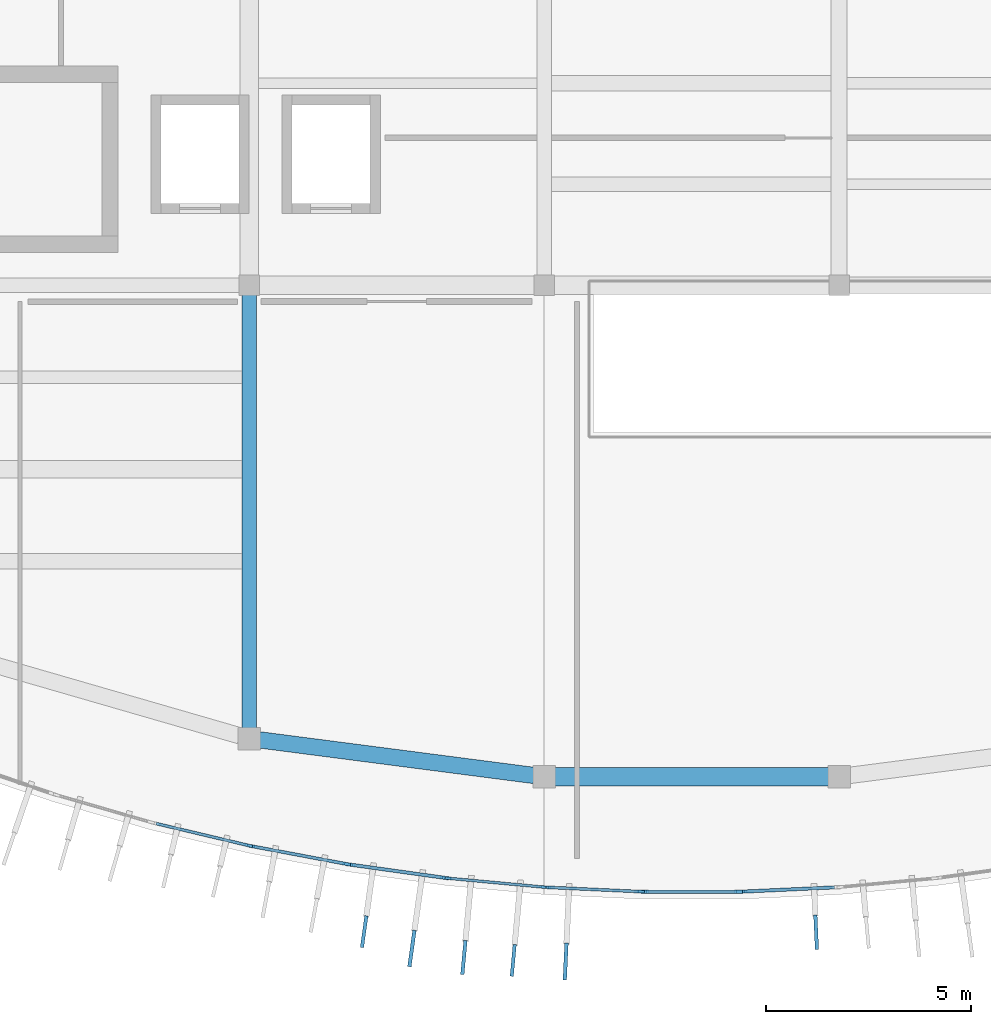
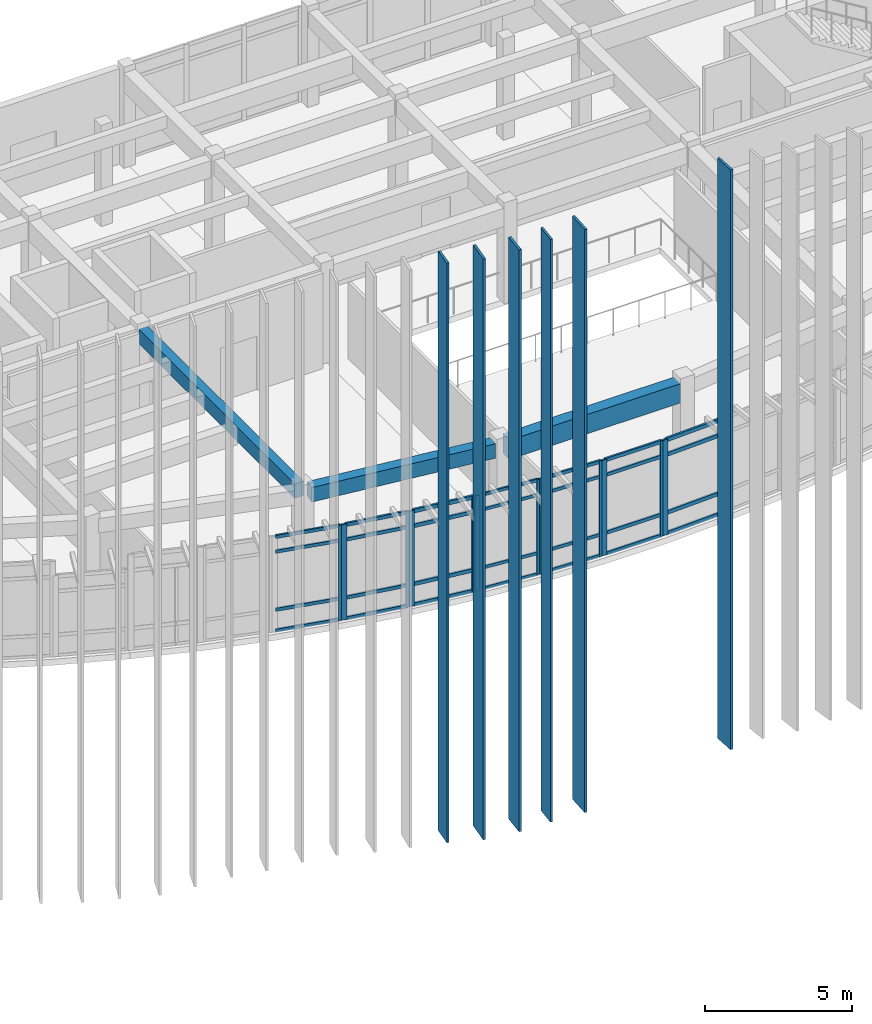
# One storey, part 17 of 47: 46 members, 3 beams, 7 elements without a shape of their own.
"""IFC4 building model written with IfcOpenShell, lengths in metres."""

from ifc_helpers import new_model, si_unit, direction, frame, origin, origin_2d, place, context, subcontext, project, spatial, rectangle, extrude, material, layer, layer_set, material_profile, profile_set, type_object, element, aggregate, save


model = new_model("IFC4")

# Units and contexts
model_context = context("Model", 3, precision=1e-05, world=origin(), true_north=direction((0.0, 1.0)))
body_context = subcontext(model_context, "Body", "Model", "MODEL_VIEW")
ifc_project = project(units=[si_unit("LENGTHUNIT", "METRE"), si_unit("AREAUNIT", "SQUARE_METRE"), si_unit("VOLUMEUNIT", "CUBIC_METRE"), si_unit("PLANEANGLEUNIT", "RADIAN"), si_unit("MASSUNIT", "GRAM", prefix="KILO")], contexts=[model_context])

# Site, building, storey
site_placement = place(None, origin())
site = spatial("IfcSite", under=ifc_project, at=site_placement, CompositionType="ELEMENT")
building_placement = place(site_placement, origin())
building = spatial("IfcBuilding", under=site, at=building_placement, Name="Brisavento Harbour Community Centre", CompositionType="ELEMENT")
storey_placement = place(building_placement, frame((0.0, 0.0, 8.699951171875)))
storey = spatial("IfcBuildingStorey", under=building, at=storey_placement, Name="L02", CompositionType="ELEMENT", Elevation=8.699951171875)

# Beams
ifc_material_1 = material(Name="Concrete C35/45", Category="concrete")
ifc_material_profile_1 = material_profile(ifc_material_1, rectangle(XDim=0.35009765625, YDim=0.60009765625, at=origin_2d()), Name="Concrete C35/45")
ifc_profile_set_1 = profile_set([ifc_material_profile_1], Name="Concrete C35/45")
beam_type_1 = type_object("IfcBeamType", Name="BM-RC-350x600", PredefinedType="BEAM", material=ifc_profile_set_1)
beam_1_placement = place(storey_placement, frame((129.60009765625, 4.178955078125, 3.66015625), z_axis=(0.0, 1.0, 0.0), x_axis=(-1.0, 0.0, 0.0)))
element("IfcBeam", 1, at=beam_1_placement, inside=storey, type_object=beam_type_1, Name="L02 primary girder Y0609", PredefinedType="BEAM", context=body_context, shape_type="SweptSolid", body=[
    extrude(rectangle(XDim=0.35009765625, YDim=0.60009765625, at=origin_2d()), origin(), (0.0, 0.0, 1.0), 10.60107421875),
])
ifc_material_profile_2 = material_profile(ifc_material_1, rectangle(XDim=0.449951171875, YDim=0.800048828125, at=origin_2d()), Name="Concrete C35/45")
ifc_profile_set_2 = profile_set([ifc_material_profile_2], Name="Concrete C35/45")
beam_type_2 = type_object("IfcBeamType", Name="BM-RC-450x800", PredefinedType="BEAM", material=ifc_profile_set_2)
beam_2_placement = place(storey_placement, frame((137.044921875, 3.0, 3.56005859375), z_axis=(1.0, 0.0, 0.0), x_axis=(0.0, 1.0, 0.0)))
element("IfcBeam", 2, at=beam_2_placement, inside=storey, type_object=beam_type_2, Name="L02 primary girder X0545", PredefinedType="BEAM", context=body_context, shape_type="SweptSolid", body=[
    extrude(rectangle(XDim=0.449951171875, YDim=0.800048828125, at=origin_2d()), origin(), (0.0, 0.0, 1.0), 6.7099609375),
])
ifc_material_profile_3 = material_profile(ifc_material_1, rectangle(XDim=0.39990234375, YDim=0.60009765625, at=origin_2d()), Name="Concrete C35/45")
ifc_profile_set_3 = profile_set([ifc_material_profile_3], Name="Concrete C35/45")
beam_type_3 = type_object("IfcBeamType", Name="BM-SPN-400x600", PredefinedType="SPANDREL", material=ifc_profile_set_3)
beam_3_placement = place(storey_placement, frame((129.843017578125, 3.902587890625, 3.66015625), z_axis=(0.991687856755, -0.128666991742, 0.0), x_axis=(0.128666991742, 0.991687856755, 0.0)))
element("IfcBeam", 3, at=beam_3_placement, inside=storey, type_object=beam_type_3, Name="L02 curved perimeter spandrel 0641", PredefinedType="SPANDREL", context=body_context, shape_type="SweptSolid", body=[
    extrude(rectangle(XDim=0.39990234375, YDim=0.60009765625, at=origin_2d()), origin(), (0.0, 0.0, 1.0), 6.77001953125),
])

# Curtain wall, members
ifc_material_2 = material(Name="Marine-anodised aluminium AW-6063-T6", Category="aluminium")
ifc_layer_1 = layer(ifc_material_2, 0.179931640625, Name="Marine-anodised aluminium AW-6063-T6")
ifc_layer_set_1 = layer_set([ifc_layer_1], Name="Marine-anodised aluminium AW-6063-T6")
curtain_wall_type_1 = type_object("IfcCurtainWallType", Name="CW-SYS-17", PredefinedType="USERDEFINED", material=ifc_layer_set_1)
curtain_wall_1_placement = place(storey_placement, origin())
curtain_wall_1 = element("IfcCurtainWall", 4, at=curtain_wall_1_placement, inside=storey, type_object=curtain_wall_type_1, Name="L02 V3 unitised curtain wall 129", ObjectType="UNITISED CURTAIN WALL", PredefinedType="USERDEFINED")
ifc_material_profile_4 = material_profile(ifc_material_2, rectangle(XDim=0.06494140625, YDim=0.1650390625, at=origin_2d()), Name="Marine-anodised aluminium AW-6063-T6")
ifc_profile_set_4 = profile_set([ifc_material_profile_4], Name="Marine-anodised aluminium AW-6063-T6")
member_type_1 = type_object("IfcMemberType", Name="CWM-01", PredefinedType="MULLION", material=ifc_profile_set_4)
member_1_placement = place(storey_placement, frame((136.766357421875, 0.30859375, 0.0), z_axis=(0.0, 0.0, 1.0), x_axis=(-0.092278635218, -0.995733224053, 0.0)))
member_1 = element("IfcMember", 5, at=member_1_placement, type_object=member_type_1, Name="CW-17 mullion 1", PredefinedType="MULLION", context=body_context, shape_type="SweptSolid", body=[
    extrude(rectangle(XDim=0.06494140625, YDim=0.1650390625, at=origin_2d()), origin(), (0.0, 0.0, 1.0), 3.9599609375),
])
member_2_placement = place(storey_placement, frame((134.466796875, 0.521728515625, 0.0), z_axis=(0.0, 0.0, 1.0), x_axis=(-0.092278635218, -0.995733224053, 0.0)))
member_2 = element("IfcMember", 6, at=member_2_placement, type_object=member_type_1, Name="CW-17 mullion 2", PredefinedType="MULLION", context=body_context, shape_type="SweptSolid", body=[
    extrude(rectangle(XDim=0.06494140625, YDim=0.1650390625, at=origin_2d()), origin(), (0.0, 0.0, 1.0), 3.9599609375),
])

# Curtain wall, member
ifc_layer_2 = layer(ifc_material_2, 0.179931640625, Name="Marine-anodised aluminium AW-6063-T6")
ifc_layer_set_2 = layer_set([ifc_layer_2], Name="Marine-anodised aluminium AW-6063-T6")
curtain_wall_type_2 = type_object("IfcCurtainWallType", Name="CW-SYS-14", PredefinedType="USERDEFINED", material=ifc_layer_set_2)
curtain_wall_2_placement = place(storey_placement, origin())
curtain_wall_2 = element("IfcCurtainWall", 7, at=curtain_wall_2_placement, inside=storey, type_object=curtain_wall_type_2, Name="L02 V3 unitised curtain wall 126", ObjectType="UNITISED CURTAIN WALL", PredefinedType="USERDEFINED")
ifc_material_profile_5 = material_profile(ifc_material_2, rectangle(XDim=0.070068359375, YDim=0.179931640625, at=origin_2d()), Name="Marine-anodised aluminium AW-6063-T6")
ifc_profile_set_5 = profile_set([ifc_material_profile_5], Name="Marine-anodised aluminium AW-6063-T6")
member_type_2 = type_object("IfcMemberType", Name="CWM-02", PredefinedType="MULLION", material=ifc_profile_set_5)
member_3_placement = place(storey_placement, frame((129.590087890625, 1.3212890625, 0.0), z_axis=(0.0, 0.0, 1.0), x_axis=(-0.230804675748, -0.973000103624, 0.0)))
member_3 = element("IfcMember", 8, at=member_3_placement, type_object=member_type_2, Name="CW-14 mullion 1", PredefinedType="MULLION", context=body_context, shape_type="SweptSolid", body=[
    extrude(rectangle(XDim=0.070068359375, YDim=0.179931640625, at=origin_2d()), origin(), (0.0, 0.0, 1.0), 3.9599609375),
])

# Curtain wall, members
ifc_layer_3 = layer(ifc_material_2, 0.179931640625, Name="Marine-anodised aluminium AW-6063-T6")
ifc_layer_set_3 = layer_set([ifc_layer_3], Name="Marine-anodised aluminium AW-6063-T6")
curtain_wall_type_3 = type_object("IfcCurtainWallType", Name="CW-SYS-18", PredefinedType="USERDEFINED", material=ifc_layer_set_3)
curtain_wall_3_placement = place(storey_placement, origin())
curtain_wall_3 = element("IfcCurtainWall", 9, at=curtain_wall_3_placement, inside=storey, type_object=curtain_wall_type_3, Name="L02 V3 unitised curtain wall 130", ObjectType="UNITISED CURTAIN WALL", PredefinedType="USERDEFINED")
member_4_placement = place(storey_placement, frame((139.1552734375, 0.196044921875, 0.0), z_axis=(0.0, 0.0, 1.0), x_axis=(-0.046185855346, -0.998932863993, 0.0)))
member_4 = element("IfcMember", 10, at=member_4_placement, type_object=member_type_2, Name="CW-18 mullion 1", PredefinedType="MULLION", context=body_context, shape_type="SweptSolid", body=[
    extrude(rectangle(XDim=0.070068359375, YDim=0.179931640625, at=origin_2d()), origin(), (0.0, 0.0, 1.0), 3.9599609375),
])
member_5_placement = place(storey_placement, frame((136.861328125, 0.30224609375, 0.0), z_axis=(0.0, 0.0, 1.0), x_axis=(-0.046185855346, -0.998932863993, 0.0)))
member_5 = element("IfcMember", 11, at=member_5_placement, type_object=member_type_2, Name="CW-18 mullion 2", PredefinedType="MULLION", context=body_context, shape_type="SweptSolid", body=[
    extrude(rectangle(XDim=0.070068359375, YDim=0.179931640625, at=origin_2d()), origin(), (0.0, 0.0, 1.0), 3.9599609375),
])

ifc_layer_4 = layer(ifc_material_2, 0.179931640625, Name="Marine-anodised aluminium AW-6063-T6")
ifc_layer_set_4 = layer_set([ifc_layer_4], Name="Marine-anodised aluminium AW-6063-T6")
curtain_wall_type_4 = type_object("IfcCurtainWallType", Name="CW-SYS-15", PredefinedType="USERDEFINED", material=ifc_layer_set_4)
curtain_wall_4_placement = place(storey_placement, origin())
curtain_wall_4 = element("IfcCurtainWall", 12, at=curtain_wall_4_placement, inside=storey, type_object=curtain_wall_type_4, Name="L02 V3 unitised curtain wall 127", ObjectType="UNITISED CURTAIN WALL", PredefinedType="USERDEFINED")
ifc_material_profile_6 = material_profile(ifc_material_2, rectangle(XDim=0.074951171875, YDim=0.18994140625, at=origin_2d()), Name="Marine-anodised aluminium AW-6063-T6")
ifc_profile_set_6 = profile_set([ifc_material_profile_6], Name="Marine-anodised aluminium AW-6063-T6")
member_type_3 = type_object("IfcMemberType", Name="CWM-03", PredefinedType="MULLION", material=ifc_profile_set_6)
member_6_placement = place(storey_placement, frame((131.978759765625, 0.8701171875, 0.0), z_axis=(0.0, 0.0, 1.0), x_axis=(-0.184664942245, -0.98280153597, 0.0)))
member_6 = element("IfcMember", 13, at=member_6_placement, type_object=member_type_3, Name="CW-15 mullion 1", PredefinedType="MULLION", context=body_context, shape_type="SweptSolid", body=[
    extrude(rectangle(XDim=0.074951171875, YDim=0.18994140625, at=origin_2d()), origin(), (0.0, 0.0, 1.0), 3.9599609375),
])
member_7_placement = place(storey_placement, frame((129.687744140625, 1.300537109375, 0.0), z_axis=(0.0, 0.0, 1.0), x_axis=(-0.184664942245, -0.98280153597, 0.0)))
member_7 = element("IfcMember", 14, at=member_7_placement, type_object=member_type_3, Name="CW-15 mullion 2", PredefinedType="MULLION", context=body_context, shape_type="SweptSolid", body=[
    extrude(rectangle(XDim=0.074951171875, YDim=0.18994140625, at=origin_2d()), origin(), (0.0, 0.0, 1.0), 3.9599609375),
])

ifc_layer_5 = layer(ifc_material_2, 0.179931640625, Name="Marine-anodised aluminium AW-6063-T6")
ifc_layer_set_5 = layer_set([ifc_layer_5], Name="Marine-anodised aluminium AW-6063-T6")
curtain_wall_type_5 = type_object("IfcCurtainWallType", Name="CW-SYS-19", PredefinedType="USERDEFINED", material=ifc_layer_set_5)
curtain_wall_5_placement = place(storey_placement, origin())
curtain_wall_5 = element("IfcCurtainWall", 15, at=curtain_wall_5_placement, inside=storey, type_object=curtain_wall_type_5, Name="L02 V3 unitised curtain wall 131", ObjectType="UNITISED CURTAIN WALL", PredefinedType="USERDEFINED")
member_8_placement = place(storey_placement, frame((141.54443359375, 0.19384765625, 0.0), z_axis=(0.0, 0.0, 1.0), x_axis=(0.0, -1.0, 0.0)))
member_8 = element("IfcMember", 16, at=member_8_placement, type_object=member_type_3, Name="CW-19 mullion 1", PredefinedType="MULLION", context=body_context, shape_type="SweptSolid", body=[
    extrude(rectangle(XDim=0.074951171875, YDim=0.18994140625, at=origin_2d()), origin(), (0.0, 0.0, 1.0), 3.9599609375),
])
member_9_placement = place(storey_placement, frame((139.255615234375, 0.19384765625, 0.0), z_axis=(0.0, 0.0, 1.0), x_axis=(0.0, -1.0, 0.0)))
member_9 = element("IfcMember", 17, at=member_9_placement, type_object=member_type_3, Name="CW-19 mullion 2", PredefinedType="MULLION", context=body_context, shape_type="SweptSolid", body=[
    extrude(rectangle(XDim=0.074951171875, YDim=0.18994140625, at=origin_2d()), origin(), (0.0, 0.0, 1.0), 3.9599609375),
])

ifc_layer_6 = layer(ifc_material_2, 0.179931640625, Name="Marine-anodised aluminium AW-6063-T6")
ifc_layer_set_6 = layer_set([ifc_layer_6], Name="Marine-anodised aluminium AW-6063-T6")
curtain_wall_type_6 = type_object("IfcCurtainWallType", Name="CW-SYS-16", PredefinedType="USERDEFINED", material=ifc_layer_set_6)
curtain_wall_6_placement = place(storey_placement, origin())
curtain_wall_6 = element("IfcCurtainWall", 18, at=curtain_wall_6_placement, inside=storey, type_object=curtain_wall_type_6, Name="L02 V3 unitised curtain wall 128", ObjectType="UNITISED CURTAIN WALL", PredefinedType="USERDEFINED")
ifc_material_profile_7 = material_profile(ifc_material_2, rectangle(XDim=0.080078125, YDim=0.2099609375, at=origin_2d()), Name="Marine-anodised aluminium AW-6063-T6")
ifc_profile_set_7 = profile_set([ifc_material_profile_7], Name="Marine-anodised aluminium AW-6063-T6")
member_type_4 = type_object("IfcMemberType", Name="CWM-04", PredefinedType="MULLION", material=ifc_profile_set_7)
member_10_placement = place(storey_placement, frame((134.367431640625, 0.53369140625, 0.0), z_axis=(0.0, 0.0, 1.0), x_axis=(-0.138476944024, -0.990365657711, 0.0)))
member_10 = element("IfcMember", 19, at=member_10_placement, type_object=member_type_4, Name="CW-16 mullion 1", PredefinedType="MULLION", context=body_context, shape_type="SweptSolid", body=[
    extrude(rectangle(XDim=0.080078125, YDim=0.2099609375, at=origin_2d()), origin(), (0.0, 0.0, 1.0), 3.9599609375),
])
member_11_placement = place(storey_placement, frame((132.082275390625, 0.853271484375, 0.0), z_axis=(0.0, 0.0, 1.0), x_axis=(-0.138476944024, -0.990365657711, 0.0)))
member_11 = element("IfcMember", 20, at=member_11_placement, type_object=member_type_4, Name="CW-16 mullion 2", PredefinedType="MULLION", context=body_context, shape_type="SweptSolid", body=[
    extrude(rectangle(XDim=0.080078125, YDim=0.2099609375, at=origin_2d()), origin(), (0.0, 0.0, 1.0), 3.9599609375),
])

# Curtain wall, member
ifc_layer_7 = layer(ifc_material_2, 0.179931640625, Name="Marine-anodised aluminium AW-6063-T6")
ifc_layer_set_7 = layer_set([ifc_layer_7], Name="Marine-anodised aluminium AW-6063-T6")
curtain_wall_type_7 = type_object("IfcCurtainWallType", Name="CW-SYS-20", PredefinedType="USERDEFINED", material=ifc_layer_set_7)
curtain_wall_7_placement = place(storey_placement, origin())
curtain_wall_7 = element("IfcCurtainWall", 21, at=curtain_wall_7_placement, inside=storey, type_object=curtain_wall_type_7, Name="L02 V3 unitised curtain wall 132", ObjectType="UNITISED CURTAIN WALL", PredefinedType="USERDEFINED")
member_12_placement = place(storey_placement, frame((141.649658203125, 0.1962890625, 0.0), z_axis=(0.0, 0.0, 1.0), x_axis=(0.046185855346, -0.998932863993, 0.0)))
member_12 = element("IfcMember", 22, at=member_12_placement, type_object=member_type_4, Name="CW-20 mullion 2", PredefinedType="MULLION", context=body_context, shape_type="SweptSolid", body=[
    extrude(rectangle(XDim=0.080078125, YDim=0.2099609375, at=origin_2d()), origin(), (0.0, 0.0, 1.0), 3.9599609375),
])

# Member
ifc_material_profile_8 = material_profile(ifc_material_2, rectangle(XDim=0.06494140625, YDim=0.125, at=origin_2d()), Name="Marine-anodised aluminium AW-6063-T6")
ifc_profile_set_8 = profile_set([ifc_material_profile_8], Name="Marine-anodised aluminium AW-6063-T6")
member_type_5 = type_object("IfcMemberType", Name="CWT-01", PredefinedType="USERDEFINED", material=ifc_profile_set_8)
member_13_placement = place(storey_placement, frame((136.73388671875, 0.311767578125, 0.032470703125), z_axis=(-0.995735678931, 0.092252142001, 0.0), x_axis=(-0.092252142001, -0.995735678931, 0.0)))
member_13 = element("IfcMember", 23, at=member_13_placement, type_object=member_type_5, Name="CW-17 transom 1.1", ObjectType="TRANSOM", PredefinedType="USERDEFINED", context=body_context, shape_type="SweptSolid", body=[
    extrude(rectangle(XDim=0.06494140625, YDim=0.125, at=origin_2d()), origin(), (0.0, 0.0, 1.0), 2.244140625),
])

member_14_placement = place(storey_placement, frame((136.73388671875, 0.311767578125, 0.900146484375), z_axis=(-0.995735678931, 0.092252142001, 0.0), x_axis=(-0.092252142001, -0.995735678931, 0.0)))
member_14 = element("IfcMember", 24, at=member_14_placement, type_object=member_type_5, Name="CW-17 transom 1.2", ObjectType="TRANSOM", PredefinedType="USERDEFINED", context=body_context, shape_type="SweptSolid", body=[
    extrude(rectangle(XDim=0.06494140625, YDim=0.125, at=origin_2d()), origin(), (0.0, 0.0, 1.0), 2.244140625),
])

member_15_placement = place(storey_placement, frame((136.73388671875, 0.311767578125, 3.31005859375), z_axis=(-0.995735678931, 0.092252142001, 0.0), x_axis=(-0.092252142001, -0.995735678931, 0.0)))
member_15 = element("IfcMember", 25, at=member_15_placement, type_object=member_type_5, Name="CW-17 transom 1.3", ObjectType="TRANSOM", PredefinedType="USERDEFINED", context=body_context, shape_type="SweptSolid", body=[
    extrude(rectangle(XDim=0.06494140625, YDim=0.125, at=origin_2d()), origin(), (0.0, 0.0, 1.0), 2.244140625),
])

member_16_placement = place(storey_placement, frame((136.73388671875, 0.311767578125, 3.927490234375), z_axis=(-0.995735678931, 0.092252142001, 0.0), x_axis=(-0.092252142001, -0.995735678931, 0.0)))
member_16 = element("IfcMember", 26, at=member_16_placement, type_object=member_type_5, Name="CW-17 transom 1.4", ObjectType="TRANSOM", PredefinedType="USERDEFINED", context=body_context, shape_type="SweptSolid", body=[
    extrude(rectangle(XDim=0.06494140625, YDim=0.125, at=origin_2d()), origin(), (0.0, 0.0, 1.0), 2.244140625),
])

aggregate(curtain_wall_1, [member_1, member_2, member_13, member_14, member_15, member_16])

ifc_material_profile_9 = material_profile(ifc_material_2, rectangle(XDim=0.070068359375, YDim=0.132080078125, at=origin_2d()), Name="Marine-anodised aluminium AW-6063-T6")
ifc_profile_set_9 = profile_set([ifc_material_profile_9], Name="Marine-anodised aluminium AW-6063-T6")
member_type_6 = type_object("IfcMemberType", Name="CWT-02", PredefinedType="USERDEFINED", material=ifc_profile_set_9)
member_17_placement = place(storey_placement, frame((129.555908203125, 1.329345703125, 0.03515625), z_axis=(-0.972987744857, 0.230856770222, 0.0), x_axis=(-0.230856770222, -0.972987744857, 0.0)))
member_17 = element("IfcMember", 27, at=member_17_placement, type_object=member_type_6, Name="CW-14 transom 1.1", ObjectType="TRANSOM", PredefinedType="USERDEFINED", context=body_context, shape_type="SweptSolid", body=[
    extrude(rectangle(XDim=0.070068359375, YDim=0.132080078125, at=origin_2d()), origin(), (0.0, 0.0, 1.0), 2.29052734375),
])

member_18_placement = place(storey_placement, frame((129.555908203125, 1.329345703125, 0.900146484375), z_axis=(-0.972987744857, 0.230856770222, 0.0), x_axis=(-0.230856770222, -0.972987744857, 0.0)))
member_18 = element("IfcMember", 28, at=member_18_placement, type_object=member_type_6, Name="CW-14 transom 1.2", ObjectType="TRANSOM", PredefinedType="USERDEFINED", context=body_context, shape_type="SweptSolid", body=[
    extrude(rectangle(XDim=0.070068359375, YDim=0.132080078125, at=origin_2d()), origin(), (0.0, 0.0, 1.0), 2.29052734375),
])

member_19_placement = place(storey_placement, frame((129.555908203125, 1.329345703125, 3.31005859375), z_axis=(-0.972987744857, 0.230856770222, 0.0), x_axis=(-0.230856770222, -0.972987744857, 0.0)))
member_19 = element("IfcMember", 29, at=member_19_placement, type_object=member_type_6, Name="CW-14 transom 1.3", ObjectType="TRANSOM", PredefinedType="USERDEFINED", context=body_context, shape_type="SweptSolid", body=[
    extrude(rectangle(XDim=0.070068359375, YDim=0.132080078125, at=origin_2d()), origin(), (0.0, 0.0, 1.0), 2.29052734375),
])

member_20_placement = place(storey_placement, frame((129.555908203125, 1.329345703125, 3.925048828125), z_axis=(-0.972987744857, 0.230856770222, 0.0), x_axis=(-0.230856770222, -0.972987744857, 0.0)))
member_20 = element("IfcMember", 30, at=member_20_placement, type_object=member_type_6, Name="CW-14 transom 1.4", ObjectType="TRANSOM", PredefinedType="USERDEFINED", context=body_context, shape_type="SweptSolid", body=[
    extrude(rectangle(XDim=0.070068359375, YDim=0.132080078125, at=origin_2d()), origin(), (0.0, 0.0, 1.0), 2.29052734375),
])

aggregate(curtain_wall_2, [member_3, member_17, member_18, member_19, member_20])

member_21_placement = place(storey_placement, frame((139.120361328125, 0.19775390625, 0.03515625), z_axis=(-0.998933888813, 0.046163684653, 0.0), x_axis=(-0.046163684653, -0.998933888813, 0.0)))
member_21 = element("IfcMember", 31, at=member_21_placement, type_object=member_type_6, Name="CW-18 transom 1.1", ObjectType="TRANSOM", PredefinedType="USERDEFINED", context=body_context, shape_type="SweptSolid", body=[
    extrude(rectangle(XDim=0.070068359375, YDim=0.132080078125, at=origin_2d()), origin(), (0.0, 0.0, 1.0), 2.2265625),
])

member_22_placement = place(storey_placement, frame((139.120361328125, 0.19775390625, 0.900146484375), z_axis=(-0.998933888813, 0.046163684653, 0.0), x_axis=(-0.046163684653, -0.998933888813, 0.0)))
member_22 = element("IfcMember", 32, at=member_22_placement, type_object=member_type_6, Name="CW-18 transom 1.2", ObjectType="TRANSOM", PredefinedType="USERDEFINED", context=body_context, shape_type="SweptSolid", body=[
    extrude(rectangle(XDim=0.070068359375, YDim=0.132080078125, at=origin_2d()), origin(), (0.0, 0.0, 1.0), 2.2265625),
])

member_23_placement = place(storey_placement, frame((139.120361328125, 0.19775390625, 3.31005859375), z_axis=(-0.998933888813, 0.046163684653, 0.0), x_axis=(-0.046163684653, -0.998933888813, 0.0)))
member_23 = element("IfcMember", 33, at=member_23_placement, type_object=member_type_6, Name="CW-18 transom 1.3", ObjectType="TRANSOM", PredefinedType="USERDEFINED", context=body_context, shape_type="SweptSolid", body=[
    extrude(rectangle(XDim=0.070068359375, YDim=0.132080078125, at=origin_2d()), origin(), (0.0, 0.0, 1.0), 2.2265625),
])

member_24_placement = place(storey_placement, frame((139.120361328125, 0.19775390625, 3.925048828125), z_axis=(-0.998933888813, 0.046163684653, 0.0), x_axis=(-0.046163684653, -0.998933888813, 0.0)))
member_24 = element("IfcMember", 34, at=member_24_placement, type_object=member_type_6, Name="CW-18 transom 1.4", ObjectType="TRANSOM", PredefinedType="USERDEFINED", context=body_context, shape_type="SweptSolid", body=[
    extrude(rectangle(XDim=0.070068359375, YDim=0.132080078125, at=origin_2d()), origin(), (0.0, 0.0, 1.0), 2.2265625),
])

aggregate(curtain_wall_3, [member_4, member_5, member_21, member_22, member_23, member_24])

ifc_material_profile_10 = material_profile(ifc_material_2, rectangle(XDim=0.074951171875, YDim=0.139892578125, at=origin_2d()), Name="Marine-anodised aluminium AW-6063-T6")
ifc_profile_set_10 = profile_set([ifc_material_profile_10], Name="Marine-anodised aluminium AW-6063-T6")
member_type_7 = type_object("IfcMemberType", Name="CWT-03", PredefinedType="USERDEFINED", material=ifc_profile_set_10)
member_25_placement = place(storey_placement, frame((131.94189453125, 0.876953125, 0.03759765625), z_axis=(-0.982791238789, 0.184719736249, 0.0), x_axis=(-0.184719736249, -0.982791238789, 0.0)))
member_25 = element("IfcMember", 35, at=member_25_placement, type_object=member_type_7, Name="CW-15 transom 1.1", ObjectType="TRANSOM", PredefinedType="USERDEFINED", context=body_context, shape_type="SweptSolid", body=[
    extrude(rectangle(XDim=0.074951171875, YDim=0.139892578125, at=origin_2d()), origin(), (0.0, 0.0, 1.0), 2.256103515625),
])

member_26_placement = place(storey_placement, frame((131.94189453125, 0.876953125, 0.900146484375), z_axis=(-0.982791238789, 0.184719736249, 0.0), x_axis=(-0.184719736249, -0.982791238789, 0.0)))
member_26 = element("IfcMember", 36, at=member_26_placement, type_object=member_type_7, Name="CW-15 transom 1.2", ObjectType="TRANSOM", PredefinedType="USERDEFINED", context=body_context, shape_type="SweptSolid", body=[
    extrude(rectangle(XDim=0.074951171875, YDim=0.139892578125, at=origin_2d()), origin(), (0.0, 0.0, 1.0), 2.256103515625),
])

member_27_placement = place(storey_placement, frame((131.94189453125, 0.876953125, 3.31005859375), z_axis=(-0.982791238789, 0.184719736249, 0.0), x_axis=(-0.184719736249, -0.982791238789, 0.0)))
member_27 = element("IfcMember", 37, at=member_27_placement, type_object=member_type_7, Name="CW-15 transom 1.3", ObjectType="TRANSOM", PredefinedType="USERDEFINED", context=body_context, shape_type="SweptSolid", body=[
    extrude(rectangle(XDim=0.074951171875, YDim=0.139892578125, at=origin_2d()), origin(), (0.0, 0.0, 1.0), 2.256103515625),
])

member_28_placement = place(storey_placement, frame((131.94189453125, 0.876953125, 3.922607421875), z_axis=(-0.982791238789, 0.184719736249, 0.0), x_axis=(-0.184719736249, -0.982791238789, 0.0)))
member_28 = element("IfcMember", 38, at=member_28_placement, type_object=member_type_7, Name="CW-15 transom 1.4", ObjectType="TRANSOM", PredefinedType="USERDEFINED", context=body_context, shape_type="SweptSolid", body=[
    extrude(rectangle(XDim=0.074951171875, YDim=0.139892578125, at=origin_2d()), origin(), (0.0, 0.0, 1.0), 2.256103515625),
])

aggregate(curtain_wall_4, [member_6, member_7, member_25, member_26, member_27, member_28])

member_29_placement = place(storey_placement, frame((141.507080078125, 0.19384765625, 0.03759765625), z_axis=(-1.0, 0.0, 0.0), x_axis=(0.0, -1.0, 0.0)))
member_29 = element("IfcMember", 39, at=member_29_placement, type_object=member_type_7, Name="CW-19 transom 1.1", ObjectType="TRANSOM", PredefinedType="USERDEFINED", context=body_context, shape_type="SweptSolid", body=[
    extrude(rectangle(XDim=0.074951171875, YDim=0.139892578125, at=origin_2d()), origin(), (0.0, 0.0, 1.0), 2.214111328125),
])

member_30_placement = place(storey_placement, frame((141.507080078125, 0.19384765625, 0.900146484375), z_axis=(-1.0, 0.0, 0.0), x_axis=(0.0, -1.0, 0.0)))
member_30 = element("IfcMember", 40, at=member_30_placement, type_object=member_type_7, Name="CW-19 transom 1.2", ObjectType="TRANSOM", PredefinedType="USERDEFINED", context=body_context, shape_type="SweptSolid", body=[
    extrude(rectangle(XDim=0.074951171875, YDim=0.139892578125, at=origin_2d()), origin(), (0.0, 0.0, 1.0), 2.214111328125),
])

member_31_placement = place(storey_placement, frame((141.507080078125, 0.19384765625, 3.31005859375), z_axis=(-1.0, 0.0, 0.0), x_axis=(0.0, -1.0, 0.0)))
member_31 = element("IfcMember", 41, at=member_31_placement, type_object=member_type_7, Name="CW-19 transom 1.3", ObjectType="TRANSOM", PredefinedType="USERDEFINED", context=body_context, shape_type="SweptSolid", body=[
    extrude(rectangle(XDim=0.074951171875, YDim=0.139892578125, at=origin_2d()), origin(), (0.0, 0.0, 1.0), 2.214111328125),
])

member_32_placement = place(storey_placement, frame((141.507080078125, 0.19384765625, 3.922607421875), z_axis=(-1.0, 0.0, 0.0), x_axis=(0.0, -1.0, 0.0)))
member_32 = element("IfcMember", 42, at=member_32_placement, type_object=member_type_7, Name="CW-19 transom 1.4", ObjectType="TRANSOM", PredefinedType="USERDEFINED", context=body_context, shape_type="SweptSolid", body=[
    extrude(rectangle(XDim=0.074951171875, YDim=0.139892578125, at=origin_2d()), origin(), (0.0, 0.0, 1.0), 2.214111328125),
])

aggregate(curtain_wall_5, [member_8, member_9, member_29, member_30, member_31, member_32])

ifc_material_profile_11 = material_profile(ifc_material_2, rectangle(XDim=0.080078125, YDim=0.155029296875, at=origin_2d()), Name="Marine-anodised aluminium AW-6063-T6")
ifc_profile_set_11 = profile_set([ifc_material_profile_11], Name="Marine-anodised aluminium AW-6063-T6")
member_type_8 = type_object("IfcMemberType", Name="CWT-04", PredefinedType="USERDEFINED", material=ifc_profile_set_11)
member_33_placement = place(storey_placement, frame((134.327880859375, 0.5390625, 0.0400390625), z_axis=(-0.990357391551, 0.13853604946, 0.0), x_axis=(-0.13853604946, -0.990357391551, 0.0)))
member_33 = element("IfcMember", 43, at=member_33_placement, type_object=member_type_8, Name="CW-16 transom 1.1", ObjectType="TRANSOM", PredefinedType="USERDEFINED", context=body_context, shape_type="SweptSolid", body=[
    extrude(rectangle(XDim=0.080078125, YDim=0.155029296875, at=origin_2d()), origin(), (0.0, 0.0, 1.0), 2.2275390625),
])

member_34_placement = place(storey_placement, frame((134.327880859375, 0.5390625, 0.900146484375), z_axis=(-0.990357391551, 0.13853604946, 0.0), x_axis=(-0.13853604946, -0.990357391551, 0.0)))
member_34 = element("IfcMember", 44, at=member_34_placement, type_object=member_type_8, Name="CW-16 transom 1.2", ObjectType="TRANSOM", PredefinedType="USERDEFINED", context=body_context, shape_type="SweptSolid", body=[
    extrude(rectangle(XDim=0.080078125, YDim=0.155029296875, at=origin_2d()), origin(), (0.0, 0.0, 1.0), 2.2275390625),
])

member_35_placement = place(storey_placement, frame((134.327880859375, 0.5390625, 3.31005859375), z_axis=(-0.990357391551, 0.13853604946, 0.0), x_axis=(-0.13853604946, -0.990357391551, 0.0)))
member_35 = element("IfcMember", 45, at=member_35_placement, type_object=member_type_8, Name="CW-16 transom 1.3", ObjectType="TRANSOM", PredefinedType="USERDEFINED", context=body_context, shape_type="SweptSolid", body=[
    extrude(rectangle(XDim=0.080078125, YDim=0.155029296875, at=origin_2d()), origin(), (0.0, 0.0, 1.0), 2.2275390625),
])

member_36_placement = place(storey_placement, frame((134.327880859375, 0.5390625, 3.920166015625), z_axis=(-0.990357391551, 0.13853604946, 0.0), x_axis=(-0.13853604946, -0.990357391551, 0.0)))
member_36 = element("IfcMember", 46, at=member_36_placement, type_object=member_type_8, Name="CW-16 transom 1.4", ObjectType="TRANSOM", PredefinedType="USERDEFINED", context=body_context, shape_type="SweptSolid", body=[
    extrude(rectangle(XDim=0.080078125, YDim=0.155029296875, at=origin_2d()), origin(), (0.0, 0.0, 1.0), 2.2275390625),
])

aggregate(curtain_wall_6, [member_10, member_11, member_33, member_34, member_35, member_36])

member_37_placement = place(storey_placement, frame((143.893798828125, 0.300048828125, 0.0400390625), z_axis=(-0.998934962812, -0.046140438579, 0.0), x_axis=(0.046140438579, -0.998934962812, 0.0)))
member_37 = element("IfcMember", 47, at=member_37_placement, type_object=member_type_8, Name="CW-20 transom 1.1", ObjectType="TRANSOM", PredefinedType="USERDEFINED", context=body_context, shape_type="SweptSolid", body=[
    extrude(rectangle(XDim=0.080078125, YDim=0.155029296875, at=origin_2d()), origin(), (0.0, 0.0, 1.0), 2.20654296875),
])

member_38_placement = place(storey_placement, frame((143.893798828125, 0.300048828125, 0.900146484375), z_axis=(-0.998934962812, -0.046140438579, 0.0), x_axis=(0.046140438579, -0.998934962812, 0.0)))
member_38 = element("IfcMember", 48, at=member_38_placement, type_object=member_type_8, Name="CW-20 transom 1.2", ObjectType="TRANSOM", PredefinedType="USERDEFINED", context=body_context, shape_type="SweptSolid", body=[
    extrude(rectangle(XDim=0.080078125, YDim=0.155029296875, at=origin_2d()), origin(), (0.0, 0.0, 1.0), 2.20654296875),
])

member_39_placement = place(storey_placement, frame((143.893798828125, 0.300048828125, 3.31005859375), z_axis=(-0.998934962812, -0.046140438579, 0.0), x_axis=(0.046140438579, -0.998934962812, 0.0)))
member_39 = element("IfcMember", 49, at=member_39_placement, type_object=member_type_8, Name="CW-20 transom 1.3", ObjectType="TRANSOM", PredefinedType="USERDEFINED", context=body_context, shape_type="SweptSolid", body=[
    extrude(rectangle(XDim=0.080078125, YDim=0.155029296875, at=origin_2d()), origin(), (0.0, 0.0, 1.0), 2.20654296875),
])

member_40_placement = place(storey_placement, frame((143.893798828125, 0.300048828125, 3.920166015625), z_axis=(-0.998934962812, -0.046140438579, 0.0), x_axis=(0.046140438579, -0.998934962812, 0.0)))
member_40 = element("IfcMember", 50, at=member_40_placement, type_object=member_type_8, Name="CW-20 transom 1.4", ObjectType="TRANSOM", PredefinedType="USERDEFINED", context=body_context, shape_type="SweptSolid", body=[
    extrude(rectangle(XDim=0.080078125, YDim=0.155029296875, at=origin_2d()), origin(), (0.0, 0.0, 1.0), 2.20654296875),
])

aggregate(curtain_wall_7, [member_12, member_37, member_38, member_39, member_40])

# Members
ifc_material_3 = material(Name="Off-white marine-anodised aluminium AW-6063-T6", Category="aluminium")
ifc_material_profile_12 = material_profile(ifc_material_3, rectangle(XDim=0.090087890625, YDim=0.89990234375, at=origin_2d()), Name="Off-white marine-anodised aluminium AW-6063-T6")
ifc_profile_set_12 = profile_set([ifc_material_profile_12], Name="Off-white marine-anodised aluminium AW-6063-T6")
member_type_9 = type_object("IfcMemberType", Name="FIN-STORM-1", PredefinedType="USERDEFINED", material=ifc_profile_set_12)
member_41_placement = place(storey_placement, frame((133.572998046875, -1.1923828125, -8.699951171875), z_axis=(0.0, 0.0, 1.0), x_axis=(-0.990362571452, 0.138499014678, 0.0)))
element("IfcMember", 51, at=member_41_placement, inside=storey, type_object=member_type_9, Name="Standing-clear white storm fin 115", ObjectType="FIN", PredefinedType="USERDEFINED", context=body_context, shape_type="SweptSolid", body=[
    extrude(rectangle(XDim=0.090087890625, YDim=0.89990234375, at=origin_2d()), origin(), (0.0, 0.0, 1.0), 24.10302734375),
])
member_42_placement = place(storey_placement, frame((137.32568359375, -1.509765625, -8.699951171875), z_axis=(0.0, 0.0, 1.0), x_axis=(-0.9989338281, 0.0461649984, 0.0)))
element("IfcMember", 52, at=member_42_placement, inside=storey, type_object=member_type_9, Name="Standing-clear white storm fin 118", ObjectType="FIN", PredefinedType="USERDEFINED", context=body_context, shape_type="SweptSolid", body=[
    extrude(rectangle(XDim=0.090087890625, YDim=0.89990234375, at=origin_2d()), origin(), (0.0, 0.0, 1.0), 24.196533203125),
])
ifc_material_profile_13 = material_profile(ifc_material_3, rectangle(XDim=0.087890625, YDim=0.840087890625, at=origin_2d()), Name="Off-white marine-anodised aluminium AW-6063-T6")
ifc_profile_set_13 = profile_set([ifc_material_profile_13], Name="Off-white marine-anodised aluminium AW-6063-T6")
member_type_10 = type_object("IfcMemberType", Name="FIN-STORM-2", PredefinedType="USERDEFINED", material=ifc_profile_set_13)
member_43_placement = place(storey_placement, frame((134.842041015625, -1.41162109375, -8.699951171875), z_axis=(0.0, 0.0, 1.0), x_axis=(-0.99572792192, 0.092335830041, 0.0)))
element("IfcMember", 53, at=member_43_placement, inside=storey, type_object=member_type_10, Name="Standing-clear white storm fin 116", ObjectType="FIN", PredefinedType="USERDEFINED", context=body_context, shape_type="SweptSolid", body=[
    extrude(rectangle(XDim=0.087890625, YDim=0.840087890625, at=origin_2d()), origin(), (0.0, 0.0, 1.0), 24.148193359375),
])
member_44_placement = place(storey_placement, frame((143.441162109375, -0.79345703125, -8.699951171875), z_axis=(0.0, 0.0, 1.0), x_axis=(-0.9989338281, -0.0461649984, 0.0)))
element("IfcMember", 54, at=member_44_placement, inside=storey, type_object=member_type_10, Name="Standing-clear white storm fin 119", ObjectType="FIN", PredefinedType="USERDEFINED", context=body_context, shape_type="SweptSolid", body=[
    extrude(rectangle(XDim=0.087890625, YDim=0.840087890625, at=origin_2d()), origin(), (0.0, 0.0, 1.0), 24.0693359375),
])
ifc_material_profile_14 = material_profile(ifc_material_3, rectangle(XDim=0.0849609375, YDim=0.780029296875, at=origin_2d()), Name="Off-white marine-anodised aluminium AW-6063-T6")
ifc_profile_set_14 = profile_set([ifc_material_profile_14], Name="Off-white marine-anodised aluminium AW-6063-T6")
member_type_11 = type_object("IfcMemberType", Name="FIN-STORM-3", PredefinedType="USERDEFINED", material=ifc_profile_set_14)
member_45_placement = place(storey_placement, frame((132.4072265625, -0.77978515625, -8.699951171875), z_axis=(0.0, 0.0, 1.0), x_axis=(-0.990362571452, 0.138499014678, 0.0)))
element("IfcMember", 55, at=member_45_placement, inside=storey, type_object=member_type_11, Name="Standing-clear white storm fin 114", ObjectType="FIN", PredefinedType="USERDEFINED", context=body_context, shape_type="SweptSolid", body=[
    extrude(rectangle(XDim=0.0849609375, YDim=0.780029296875, at=origin_2d()), origin(), (0.0, 0.0, 1.0), 24.0439453125),
])
member_46_placement = place(storey_placement, frame((136.0458984375, -1.4814453125, -8.699951171875), z_axis=(0.0, 0.0, 1.0), x_axis=(-0.99572792192, 0.092335830041, 0.0)))
element("IfcMember", 56, at=member_46_placement, inside=storey, type_object=member_type_11, Name="Standing-clear white storm fin 117", ObjectType="FIN", PredefinedType="USERDEFINED", context=body_context, shape_type="SweptSolid", body=[
    extrude(rectangle(XDim=0.0849609375, YDim=0.780029296875, at=origin_2d()), origin(), (0.0, 0.0, 1.0), 24.179443359375),
])

save(model, "model.ifc")
